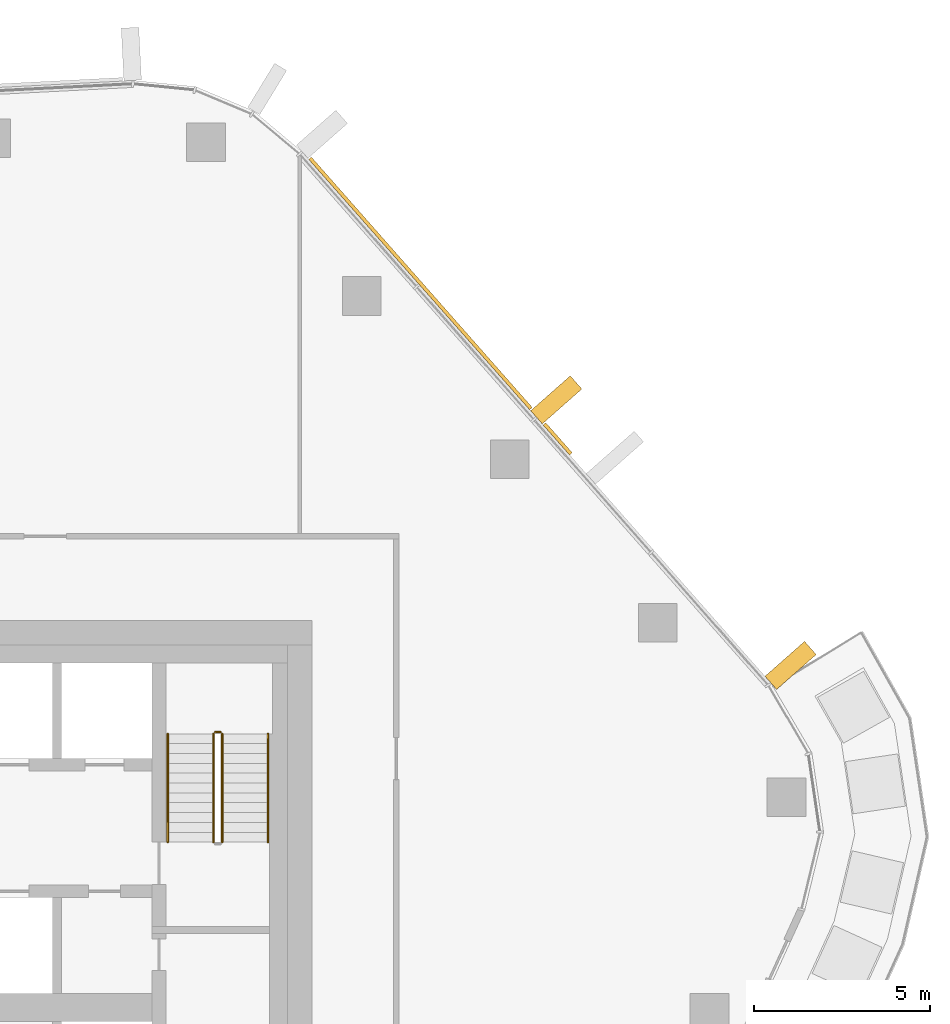
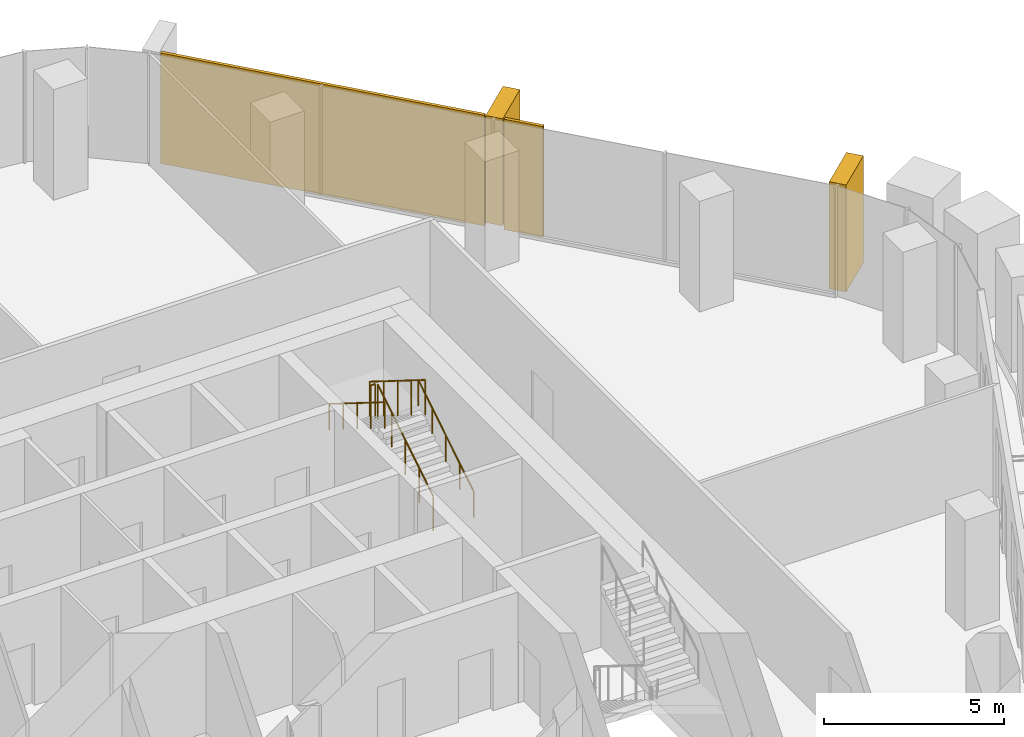
# One storey, part 20 of 21: 5 railings, 4 coverings, 1 element without a shape of its own.
"""IFC4 building model written with IfcOpenShell, lengths in metres."""

from ifc_helpers import new_model, si_unit, direction, frame, origin, origin_2d, place, context, subcontext, project, spatial, rectangle, circle, extrude, material, layer, layer_set, material_profile, profile_set, type_object, element, aggregate, save


model = new_model("IFC4")

# Units and contexts
model_context = context("Model", 3, precision=1e-05, world=origin(), true_north=direction((0.0, 1.0)))
body_context = subcontext(model_context, "Body", "Model", "MODEL_VIEW")
ifc_project = project(units=[si_unit("LENGTHUNIT", "METRE"), si_unit("AREAUNIT", "SQUARE_METRE"), si_unit("VOLUMEUNIT", "CUBIC_METRE"), si_unit("PLANEANGLEUNIT", "RADIAN"), si_unit("MASSUNIT", "GRAM", prefix="KILO")], contexts=[model_context])

# Site, building, storey
site_placement = place(None, origin())
site = spatial("IfcSite", under=ifc_project, at=site_placement, CompositionType="ELEMENT")
building_placement = place(site_placement, origin())
building = spatial("IfcBuilding", under=site, at=building_placement, Name="Dongbaek Canopy Tower", CompositionType="ELEMENT")
storey_placement = place(building_placement, frame((0.0, 0.0, 232.800048828125)))
storey = spatial("IfcBuildingStorey", under=building, at=storey_placement, Name="L48", CompositionType="ELEMENT", Elevation=232.800048828125)

# Curtain wall, coverings
ifc_material_1 = material(Name="Aluminium 6063-T6 pale anodised", Category="aluminium")
ifc_layer_1 = layer(ifc_material_1, 0.199951171875)
ifc_layer_set_1 = layer_set([ifc_layer_1], Name="CW-1 unitised tower curtain wall")
curtain_wall_type = type_object("IfcCurtainWallType", Name="CW-1 unitised tower curtain wall", PredefinedType="NOTDEFINED", material=ifc_layer_set_1)
curtain_wall_placement = place(storey_placement, origin())
curtain_wall = element("IfcCurtainWall", 1, at=curtain_wall_placement, inside=storey, type_object=curtain_wall_type, Name="CW-1 curtain wall F0.1", PredefinedType="NOTDEFINED")
ifc_material_2 = material(Name="Perforated aluminium 6063-T6 pale metal screen", Category="aluminium")
ifc_layer_2 = layer(ifc_material_2, 0.10009765625)
ifc_layer_set_2 = layer_set([ifc_layer_2], Name="Facet screen FS1 100 pale metal")
covering_type_1 = type_object("IfcCoveringType", Name="Facet screen FS1 100 pale metal", PredefinedType="CLADDING", material=ifc_layer_set_2)
covering_1_placement = place(storey_placement, frame((20.98828125, 16.165283203125, 0.0), z_axis=(0.0, 0.0, 1.0), x_axis=(-0.6616312479, 0.749829375126, 0.0)))
covering_1 = element("IfcCovering", 2, at=covering_1_placement, type_object=covering_type_1, Name="Facet screen L48 F0", PredefinedType="CLADDING", context=body_context, shape_type="SweptSolid", body=[
    extrude(rectangle(XDim=1.1376953125, YDim=0.10009765625, at=origin_2d()), origin(), (0.0, 0.0, 1.0), 3.75),
])
covering_2_placement = place(storey_placement, frame((17.088134765625, 20.585205078125, 0.0), z_axis=(0.0, 0.0, 1.0), x_axis=(-0.6616312479, 0.749829375126, 0.0)))
covering_2 = element("IfcCovering", 3, at=covering_2_placement, type_object=covering_type_1, Name="Facet screen L48 F0", PredefinedType="CLADDING", context=body_context, shape_type="SweptSolid", body=[
    extrude(rectangle(XDim=9.49169921875, YDim=0.10009765625, at=origin_2d()), origin(), (0.0, 0.0, 1.0), 3.75),
])
ifc_material_3 = material(Name="Aluminium 6063-T6 pale metal fin", Category="aluminium")
ifc_material_profile = material_profile(ifc_material_3, rectangle(XDim=1.5, YDim=0.5, at=origin_2d()), Name="Fin FN1 500 x 1500 pale metal")
ifc_profile_set = profile_set([ifc_material_profile], Name="Aluminium 6063-T6 pale metal fin")
covering_type_2 = type_object("IfcCoveringType", Name="Fin FN1 500 x 1500 pale metal", PredefinedType="CLADDING", material=ifc_profile_set)
covering_3_placement = place(storey_placement, frame((27.6103515625, 9.724609375, 0.119873046875), z_axis=(0.0, 0.0, 1.0), x_axis=(0.749829254199, 0.661631384947, 0.0)))
covering_3 = element("IfcCovering", 4, at=covering_3_placement, type_object=covering_type_2, Name="Fin F0.1.1", PredefinedType="CLADDING", context=body_context, shape_type="SweptSolid", body=[
    extrude(rectangle(XDim=1.5, YDim=0.5, at=origin_2d()), origin(), (0.0, 0.0, 1.0), 3.630126953125),
])
covering_4_placement = place(storey_placement, frame((20.947998046875, 17.275146484375, 0.119873046875), z_axis=(0.0, 0.0, 1.0), x_axis=(0.749829254199, 0.661631384947, 0.0)))
covering_4 = element("IfcCovering", 5, at=covering_4_placement, type_object=covering_type_2, Name="Fin F0.1.3", PredefinedType="CLADDING", context=body_context, shape_type="SweptSolid", body=[
    extrude(rectangle(XDim=1.5, YDim=0.5, at=origin_2d()), origin(), (0.0, 0.0, 1.0), 3.630126953125),
])
aggregate(curtain_wall, [covering_3, covering_4, covering_1, covering_2])

# Railings
ifc_material_4 = material(Name="Stainless steel tube and balusters", Category="steel")
railing_type_1 = type_object("IfcRailingType", Name="Stair guard 1200", PredefinedType="GUARDRAIL", material=ifc_material_4)
railing_1_placement = place(storey_placement, frame((11.449951171875, 4.699951171875, 0.175048828125)))
element("IfcRailing", 6, at=railing_1_placement, inside=storey, type_object=railing_type_1, Name="L48 ST-A stair guard 1", PredefinedType="GUARDRAIL", context=body_context, shape_type="SweptSolid", body=[
    extrude(circle(Radius=0.02392578125, at=origin_2d()), frame((0.0, 0.0, 1.17578125), z_axis=(0.0, 0.848028513186, 0.529950602248), x_axis=(-1.0, 0.0, 0.0)), (0.0, 0.0, 1.0), 3.632080078125),
    extrude(circle(Radius=0.02099609375, at=origin_2d()), origin(), (0.0, 0.0, 1.0), 1.15185546875),
    extrude(circle(Radius=0.02099609375, at=origin_2d()), frame((0.0, 0.77001953125, 0.481201171875)), (0.0, 0.0, 1.0), 1.15185546875),
    extrude(circle(Radius=0.02099609375, at=origin_2d()), frame((0.0, 1.5400390625, 0.96240234375)), (0.0, 0.0, 1.0), 1.15185546875),
    extrude(circle(Radius=0.02099609375, at=origin_2d()), frame((0.0, 2.31005859375, 1.443603515625)), (0.0, 0.0, 1.0), 1.15185546875),
    extrude(circle(Radius=0.02099609375, at=origin_2d()), frame((0.0, 3.080078125, 1.9248046875)), (0.0, 0.0, 1.0), 1.15185546875),
])
railing_2_placement = place(storey_placement, frame((11.39990234375, 7.830078125, 2.099853515625)))
element("IfcRailing", 7, at=railing_2_placement, inside=storey, type_object=railing_type_1, Name="L48 ST-A stair guard 2", PredefinedType="GUARDRAIL", context=body_context, shape_type="SweptSolid", body=[
    extrude(circle(Radius=0.02392578125, at=origin_2d()), frame((0.0, 0.0, 1.17578125), z_axis=(-1.0, 0.0, 0.0), x_axis=(0.0, -1.0, 0.0)), (0.0, 0.0, 1.0), 0.14990234375),
    extrude(circle(Radius=0.02099609375, at=origin_2d()), origin(), (0.0, 0.0, 1.0), 1.15185546875),
    extrude(circle(Radius=0.02099609375, at=origin_2d()), frame((-0.14990234375, 0.0, 0.0)), (0.0, 0.0, 1.0), 1.15185546875),
])
railing_3_placement = place(storey_placement, frame((11.199951171875, 7.780029296875, 2.27490234375)))
element("IfcRailing", 8, at=railing_3_placement, inside=storey, type_object=railing_type_1, Name="L48 ST-A stair guard 3", PredefinedType="GUARDRAIL", context=body_context, shape_type="SweptSolid", body=[
    extrude(circle(Radius=0.02392578125, at=origin_2d()), frame((0.0, 0.0, 1.17578125), z_axis=(0.0, -0.847998304005, 0.529998940003), x_axis=(1.0, 0.0, 0.0)), (0.0, 0.0, 1.0), 3.632080078125),
    extrude(circle(Radius=0.02099609375, at=origin_2d()), origin(), (0.0, 0.0, 1.0), 1.15185546875),
    extrude(circle(Radius=0.02099609375, at=origin_2d()), frame((0.0, -0.77001953125, 0.481201171875)), (0.0, 0.0, 1.0), 1.15185546875),
    extrude(circle(Radius=0.02099609375, at=origin_2d()), frame((0.0, -1.5400390625, 0.96240234375)), (0.0, 0.0, 1.0), 1.15185546875),
    extrude(circle(Radius=0.02099609375, at=origin_2d()), frame((0.0, -2.31005859375, 1.44384765625)), (0.0, 0.0, 1.0), 1.15185546875),
    extrude(circle(Radius=0.02099609375, at=origin_2d()), frame((0.0, -3.080078125, 1.925048828125)), (0.0, 0.0, 1.0), 1.15185546875),
])
ifc_material_5 = material(Name="Stainless steel tube", Category="steel")
railing_type_2 = type_object("IfcRailingType", Name="Stair handrail 900", PredefinedType="HANDRAIL", material=ifc_material_5)
railing_4_placement = place(storey_placement, frame((12.75, 4.699951171875, 0.175048828125)))
element("IfcRailing", 9, at=railing_4_placement, inside=storey, type_object=railing_type_2, Name="L48 ST-A stair handrail 1", PredefinedType="HANDRAIL", context=body_context, shape_type="SweptSolid", body=[
    extrude(circle(Radius=0.02392578125, at=origin_2d()), frame((0.0, 0.0, 0.8759765625), z_axis=(0.0, 0.848028513186, 0.529950602248), x_axis=(-1.0, 0.0, 0.0)), (0.0, 0.0, 1.0), 3.632080078125),
    extrude(circle(Radius=0.02099609375, at=origin_2d()), origin(), (0.0, 0.0, 1.0), 0.851806640625),
    extrude(circle(Radius=0.02099609375, at=origin_2d()), frame((0.0, 0.77001953125, 0.481201171875)), (0.0, 0.0, 1.0), 0.851806640625),
    extrude(circle(Radius=0.02099609375, at=origin_2d()), frame((0.0, 1.5400390625, 0.96240234375)), (0.0, 0.0, 1.0), 0.851806640625),
    extrude(circle(Radius=0.02099609375, at=origin_2d()), frame((0.0, 2.31005859375, 1.443603515625)), (0.0, 0.0, 1.0), 0.851806640625),
    extrude(circle(Radius=0.02099609375, at=origin_2d()), frame((0.0, 3.080078125, 1.9248046875)), (0.0, 0.0, 1.0), 0.851806640625),
])
railing_5_placement = place(storey_placement, frame((9.89990234375, 7.780029296875, 2.27490234375)))
element("IfcRailing", 10, at=railing_5_placement, inside=storey, type_object=railing_type_2, Name="L48 ST-A stair handrail 2", PredefinedType="HANDRAIL", context=body_context, shape_type="SweptSolid", body=[
    extrude(circle(Radius=0.02392578125, at=origin_2d()), frame((0.0, 0.0, 0.8759765625), z_axis=(0.0, -0.847998304005, 0.529998940003), x_axis=(1.0, 0.0, 0.0)), (0.0, 0.0, 1.0), 3.632080078125),
    extrude(circle(Radius=0.02099609375, at=origin_2d()), origin(), (0.0, 0.0, 1.0), 0.851806640625),
    extrude(circle(Radius=0.02099609375, at=origin_2d()), frame((0.0, -0.77001953125, 0.481201171875)), (0.0, 0.0, 1.0), 0.851806640625),
    extrude(circle(Radius=0.02099609375, at=origin_2d()), frame((0.0, -1.5400390625, 0.96240234375)), (0.0, 0.0, 1.0), 0.851806640625),
    extrude(circle(Radius=0.02099609375, at=origin_2d()), frame((0.0, -2.31005859375, 1.44384765625)), (0.0, 0.0, 1.0), 0.851806640625),
    extrude(circle(Radius=0.02099609375, at=origin_2d()), frame((0.0, -3.080078125, 1.925048828125)), (0.0, 0.0, 1.0), 0.851806640625),
])

save(model, "model.ifc")
